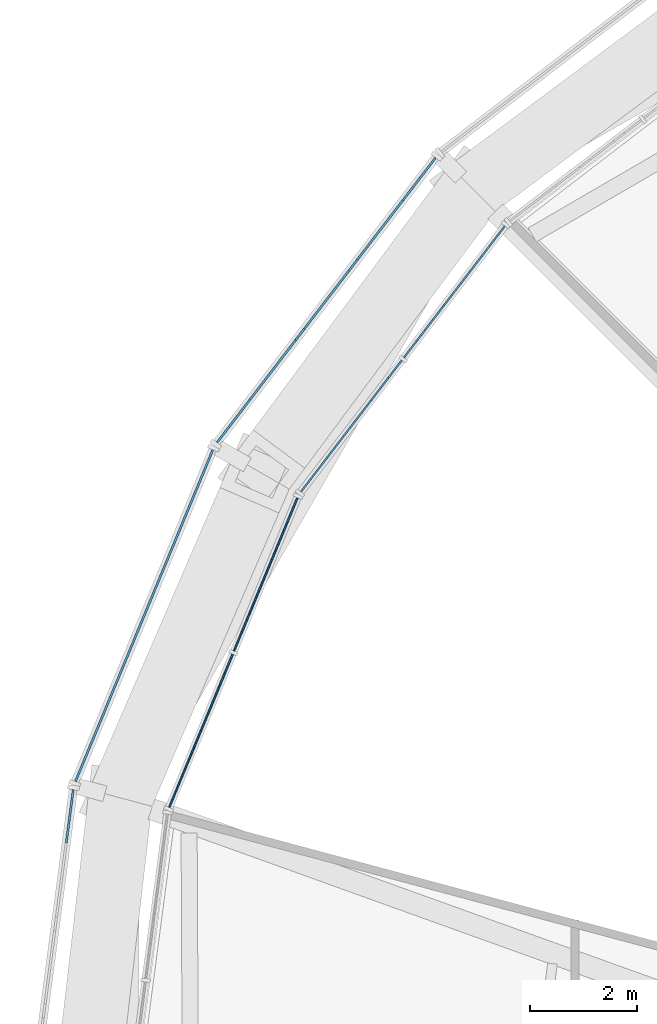
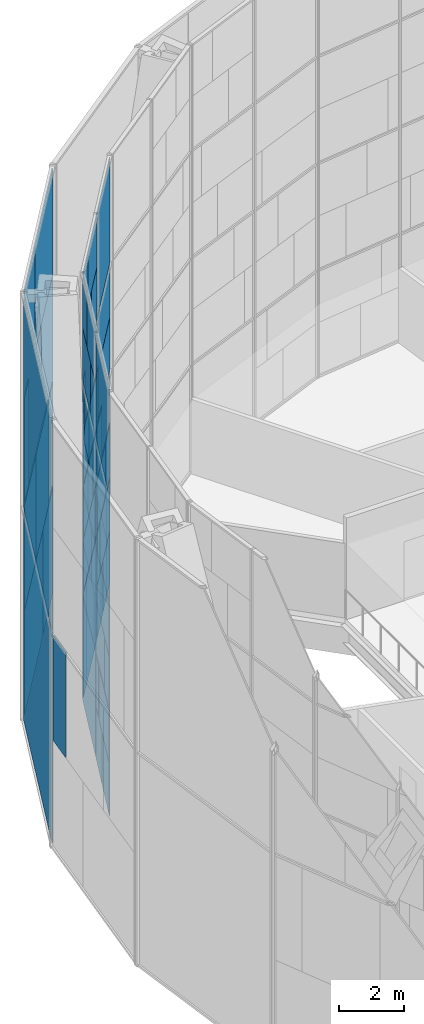
# One storey, part 20 of 28: 63 plates, 5 elements without a shape of their own.
"""IFC4 building model written with IfcOpenShell, lengths in metres."""

from ifc_helpers import new_model, si_unit, direction, frame, origin, origin_2d, place, context, subcontext, project, spatial, rectangle, extrude, material, layer, layer_set, type_object, element, aggregate, save


model = new_model("IFC4")

# Units and contexts
model_context = context("Model", 3, precision=1e-05, world=origin(), true_north=direction((0.0, 1.0)))
body_context = subcontext(model_context, "Body", "Model", "MODEL_VIEW")
ifc_project = project(units=[si_unit("LENGTHUNIT", "METRE"), si_unit("AREAUNIT", "SQUARE_METRE"), si_unit("VOLUMEUNIT", "CUBIC_METRE"), si_unit("PLANEANGLEUNIT", "RADIAN"), si_unit("MASSUNIT", "GRAM", prefix="KILO")], contexts=[model_context])

# Site, building, storey
site_placement = place(None, origin())
site = spatial("IfcSite", under=ifc_project, at=site_placement, CompositionType="ELEMENT")
building_placement = place(site_placement, origin())
building = spatial("IfcBuilding", under=site, at=building_placement, Name="Golbaran Civic Tower", CompositionType="ELEMENT")
storey_placement = place(building_placement, frame((0.0, 0.0, 134.0)))
storey = spatial("IfcBuildingStorey", under=building, at=storey_placement, Name="L32", CompositionType="ELEMENT", Elevation=134.0)

# Curtain wall, plates
ifc_material_1 = material(Name="Aluminium and glass", Category="aluminium")
curtain_wall_type_1 = type_object("IfcCurtainWallType", Name="INNER SKIN CURTAIN WALL", PredefinedType="NOTDEFINED", material=ifc_material_1)
curtain_wall_1_placement = place(storey_placement, origin())
curtain_wall_1 = element("IfcCurtainWall", 1, at=curtain_wall_1_placement, inside=storey, type_object=curtain_wall_type_1, Name="Inner skin L32 facet 10 CW1", ObjectType="INNER SKIN", PredefinedType="USERDEFINED")
ifc_material_2 = material(Name="Clear insulating glass", Category="glass")
ifc_layer_1 = layer(ifc_material_2, 0.031982421875, Name="Clear insulating glass")
ifc_layer_set_1 = layer_set([ifc_layer_1], Name="Clear insulating glass")
plate_type_1 = type_object("IfcPlateType", Name="INNER SKIN CURTAIN WALL GLAZED PANEL", PredefinedType="CURTAIN_PANEL", material=ifc_layer_set_1)
plate_1_placement = place(storey_placement, frame((-18.750244140625, 15.343505859375, 0.06494140625), z_axis=(0.0, 0.0, 1.0), x_axis=(-0.60876142905, -0.793353340259, 0.0)))
plate_1 = element("IfcPlate", 2, at=plate_1_placement, type_object=plate_type_1, Name="CW1 panel 1.1 part 2", PredefinedType="CURTAIN_PANEL", context=body_context, shape_type="SweptSolid", body=[
    extrude(rectangle(XDim=1.45166015625, YDim=0.031982421875, at=origin_2d()), origin(), (0.0, 0.0, 1.0), 1.951171875),
])
plate_2_placement = place(storey_placement, frame((-18.995361328125, 15.024169921875, 2.016357421875), z_axis=(0.0, 0.0, 1.0), x_axis=(-0.60876142905, -0.793353340259, 0.0)))
plate_2 = element("IfcPlate", 3, at=plate_2_placement, type_object=plate_type_1, Name="CW1 panel 1.1 part 4", PredefinedType="CURTAIN_PANEL", context=body_context, shape_type="SweptSolid", body=[
    extrude(rectangle(XDim=0.646484375, YDim=0.031982421875, at=origin_2d()), origin(), (0.0, 0.0, 1.0), 1.951171875),
])
plate_3_placement = place(storey_placement, frame((-17.63720703125, 16.7939453125, 4.03271484375), z_axis=(0.0, 0.0, 1.0), x_axis=(-0.60876142905, -0.793353340259, 0.0)))
plate_3 = element("IfcPlate", 4, at=plate_3_placement, type_object=plate_type_1, Name="CW1 panel 1.2 part 1", PredefinedType="CURTAIN_PANEL", context=body_context, shape_type="SweptSolid", body=[
    extrude(rectangle(XDim=1.072998046875, YDim=0.031982421875, at=origin_2d()), origin(), (0.0, 0.0, 1.0), 1.967529296875),
])
plate_4_placement = place(storey_placement, frame((-17.884521484375, 16.4716796875, 6.0), z_axis=(0.0, 0.0, 1.0), x_axis=(-0.60876142905, -0.793353340259, 0.0)))
plate_4 = element("IfcPlate", 5, at=plate_4_placement, type_object=plate_type_1, Name="CW1 panel 1.2 part 3", PredefinedType="CURTAIN_PANEL", context=body_context, shape_type="SweptSolid", body=[
    extrude(rectangle(XDim=1.885009765625, YDim=0.031982421875, at=origin_2d()), origin(), (0.0, 0.0, 1.0), 1.967529296875),
])
plate_5_placement = place(storey_placement, frame((-18.129150390625, 16.15283203125, 8.03271484375), z_axis=(0.0, 0.0, 1.0), x_axis=(-0.60876142905, -0.793353340259, 0.0)))
plate_5 = element("IfcPlate", 6, at=plate_5_placement, type_object=plate_type_1, Name="CW1 panel 1.3 part 1", PredefinedType="CURTAIN_PANEL", context=body_context, shape_type="SweptSolid", body=[
    extrude(rectangle(XDim=2.68896484375, YDim=0.031982421875, at=origin_2d()), origin(), (0.0, 0.0, 1.0), 1.967529296875),
])
plate_6_placement = place(storey_placement, frame((-18.25146484375, 15.99365234375, 10.0), z_axis=(0.0, 0.0, 1.0), x_axis=(-0.60876142905, -0.793353340259, 0.0)))
plate_6 = element("IfcPlate", 7, at=plate_6_placement, type_object=plate_type_1, Name="CW1 panel 1.3 part 3", PredefinedType="CURTAIN_PANEL", context=body_context, shape_type="SweptSolid", body=[
    extrude(rectangle(XDim=3.090576171875, YDim=0.031982421875, at=origin_2d()), origin(), (0.0, 0.0, 1.0), 1.967529296875),
])
plate_7_placement = place(storey_placement, frame((-18.25146484375, 15.99365234375, 12.0322265625), z_axis=(0.0, 0.0, 1.0), x_axis=(-0.60876142905, -0.793353340259, 0.0)))
plate_7 = element("IfcPlate", 8, at=plate_7_placement, type_object=plate_type_1, Name="CW1 panel 1.4", PredefinedType="CURTAIN_PANEL", context=body_context, shape_type="SweptSolid", body=[
    extrude(rectangle(XDim=3.090576171875, YDim=0.031982421875, at=origin_2d()), origin(), (0.0, 0.0, 1.0), 3.902587890625),
])
plate_8_placement = place(storey_placement, frame((-20.17236328125, 13.489990234375, 0.06494140625), z_axis=(0.0, 0.0, 1.0), x_axis=(-0.60876142905, -0.793353340259, 0.0)))
plate_8 = element("IfcPlate", 9, at=plate_8_placement, type_object=plate_type_1, Name="CW1 panel 2.1", PredefinedType="CURTAIN_PANEL", context=body_context, shape_type="SweptSolid", body=[
    extrude(rectangle(XDim=3.090576171875, YDim=0.031982421875, at=origin_2d()), origin(), (0.0, 0.0, 1.0), 3.902587890625),
])
plate_9_placement = place(storey_placement, frame((-20.29443359375, 13.3310546875, 4.03271484375), z_axis=(0.0, 0.0, 1.0), x_axis=(-0.60876142905, -0.793353340259, 0.0)))
plate_9 = element("IfcPlate", 10, at=plate_9_placement, type_object=plate_type_1, Name="CW1 panel 2.2 part 2", PredefinedType="CURTAIN_PANEL", context=body_context, shape_type="SweptSolid", body=[
    extrude(rectangle(XDim=2.689697265625, YDim=0.031982421875, at=origin_2d()), origin(), (0.0, 0.0, 1.0), 1.967529296875),
])
plate_10_placement = place(storey_placement, frame((-20.458251953125, 13.11767578125, 6.0), z_axis=(0.0, 0.0, 1.0), x_axis=(-0.60876142905, -0.793353340259, 0.0)))
plate_10 = element("IfcPlate", 11, at=plate_10_placement, type_object=plate_type_1, Name="CW1 panel 2.2 part 4", PredefinedType="CURTAIN_PANEL", context=body_context, shape_type="SweptSolid", body=[
    extrude(rectangle(XDim=2.151611328125, YDim=0.031982421875, at=origin_2d()), origin(), (0.0, 0.0, 1.0), 1.967529296875),
])
plate_11_placement = place(storey_placement, frame((-20.713623046875, 12.78466796875, 8.03271484375), z_axis=(0.0, 0.0, 1.0), x_axis=(-0.60876142905, -0.793353340259, 0.0)))
plate_11 = element("IfcPlate", 12, at=plate_11_placement, type_object=plate_type_1, Name="CW1 panel 2.3 part 2", PredefinedType="CURTAIN_PANEL", context=body_context, shape_type="SweptSolid", body=[
    extrude(rectangle(XDim=1.3125, YDim=0.031982421875, at=origin_2d()), origin(), (0.0, 0.0, 1.0), 1.967529296875),
])
plate_12_placement = place(storey_placement, frame((-20.96044921875, 12.463134765625, 10.0), z_axis=(0.0, 0.0, 1.0), x_axis=(-0.60876142905, -0.793353340259, 0.0)))
plate_12 = element("IfcPlate", 13, at=plate_12_placement, type_object=plate_type_1, Name="CW1 panel 2.3 part 4", PredefinedType="CURTAIN_PANEL", context=body_context, shape_type="SweptSolid", body=[
    extrude(rectangle(XDim=0.501708984375, YDim=0.031982421875, at=origin_2d()), origin(), (0.0, 0.0, 1.0), 1.967529296875),
])
plate_13_placement = place(storey_placement, frame((-19.602294921875, 14.23291015625, 12.032470703125), z_axis=(0.0, 0.0, 1.0), x_axis=(-0.60876142905, -0.793353340259, 0.0)))
plate_13 = element("IfcPlate", 14, at=plate_13_placement, type_object=plate_type_1, Name="CW1 panel 2.4 part 1", PredefinedType="CURTAIN_PANEL", context=body_context, shape_type="SweptSolid", body=[
    extrude(rectangle(XDim=1.218017578125, YDim=0.031982421875, at=origin_2d()), origin(), (0.0, 0.0, 1.0), 1.951171875),
])
plate_14_placement = place(storey_placement, frame((-19.847412109375, 13.91357421875, 13.98388671875), z_axis=(0.0, 0.0, 1.0), x_axis=(-0.60876142905, -0.793353340259, 0.0)))
plate_14 = element("IfcPlate", 15, at=plate_14_placement, type_object=plate_type_1, Name="CW1 panel 2.4 part 3", PredefinedType="CURTAIN_PANEL", context=body_context, shape_type="SweptSolid", body=[
    extrude(rectangle(XDim=2.02294921875, YDim=0.031982421875, at=origin_2d()), origin(), (0.0, 0.0, 1.0), 1.951171875),
])

curtain_wall_2_placement = place(storey_placement, origin())
curtain_wall_2 = element("IfcCurtainWall", 16, at=curtain_wall_2_placement, inside=storey, type_object=curtain_wall_type_1, Name="Inner skin L32 facet 11 CW1", ObjectType="INNER SKIN", PredefinedType="USERDEFINED")
plate_15_placement = place(storey_placement, frame((-21.768798828125, 10.724853515625, 0.06494140625), z_axis=(0.0, 0.0, 1.0), x_axis=(-0.38268343243, -0.923879532485, 0.0)))
plate_15 = element("IfcPlate", 17, at=plate_15_placement, type_object=plate_type_1, Name="CW1 panel 1.1", PredefinedType="CURTAIN_PANEL", context=body_context, shape_type="SweptSolid", body=[
    extrude(rectangle(XDim=3.090576171875, YDim=0.031982421875, at=origin_2d()), origin(), (0.0, 0.0, 1.0), 3.902587890625),
])
plate_16_placement = place(storey_placement, frame((-21.692138671875, 10.910400390625, 4.03271484375), z_axis=(0.0, 0.0, 1.0), x_axis=(-0.38268343243, -0.923879532485, 0.0)))
plate_16 = element("IfcPlate", 18, at=plate_16_placement, type_object=plate_type_1, Name="CW1 panel 1.2 part 1", PredefinedType="CURTAIN_PANEL", context=body_context, shape_type="SweptSolid", body=[
    extrude(rectangle(XDim=2.68896484375, YDim=0.031982421875, at=origin_2d()), origin(), (0.0, 0.0, 1.0), 1.967529296875),
])
plate_17_placement = place(storey_placement, frame((-21.589111328125, 11.158935546875, 6.0), z_axis=(0.0, 0.0, 1.0), x_axis=(-0.38268343243, -0.923879532485, 0.0)))
plate_17 = element("IfcPlate", 19, at=plate_17_placement, type_object=plate_type_1, Name="CW1 panel 1.2 part 3", PredefinedType="CURTAIN_PANEL", context=body_context, shape_type="SweptSolid", body=[
    extrude(rectangle(XDim=2.15087890625, YDim=0.031982421875, at=origin_2d()), origin(), (0.0, 0.0, 1.0), 1.967529296875),
])
plate_18_placement = place(storey_placement, frame((-21.4287109375, 11.5458984375, 8.03271484375), z_axis=(0.0, 0.0, 1.0), x_axis=(-0.38268343243, -0.923879532485, 0.0)))
plate_18 = element("IfcPlate", 20, at=plate_18_placement, type_object=plate_type_1, Name="CW1 panel 1.3 part 1", PredefinedType="CURTAIN_PANEL", context=body_context, shape_type="SweptSolid", body=[
    extrude(rectangle(XDim=1.31298828125, YDim=0.031982421875, at=origin_2d()), origin(), (0.0, 0.0, 1.0), 1.967529296875),
])
plate_19_placement = place(storey_placement, frame((-21.2734375, 11.9208984375, 10.0), z_axis=(0.0, 0.0, 1.0), x_axis=(-0.38268343243, -0.923879532485, 0.0)))
plate_19 = element("IfcPlate", 21, at=plate_19_placement, type_object=plate_type_1, Name="CW1 panel 1.3 part 3", PredefinedType="CURTAIN_PANEL", context=body_context, shape_type="SweptSolid", body=[
    extrude(rectangle(XDim=0.5009765625, YDim=0.031982421875, at=origin_2d()), origin(), (0.0, 0.0, 1.0), 1.967529296875),
])
plate_20_placement = place(storey_placement, frame((-22.127197265625, 9.860107421875, 12.032470703125), z_axis=(0.0, 0.0, 1.0), x_axis=(-0.38268343243, -0.923879532485, 0.0)))
plate_20 = element("IfcPlate", 22, at=plate_20_placement, type_object=plate_type_1, Name="CW1 panel 1.4 part 2", PredefinedType="CURTAIN_PANEL", context=body_context, shape_type="SweptSolid", body=[
    extrude(rectangle(XDim=1.218505859375, YDim=0.031982421875, at=origin_2d()), origin(), (0.0, 0.0, 1.0), 1.951171875),
])
plate_21_placement = place(storey_placement, frame((-21.97314453125, 10.23193359375, 13.98388671875), z_axis=(0.0, 0.0, 1.0), x_axis=(-0.38268343243, -0.923879532485, 0.0)))
plate_21 = element("IfcPlate", 23, at=plate_21_placement, type_object=plate_type_1, Name="CW1 panel 1.4 part 4", PredefinedType="CURTAIN_PANEL", context=body_context, shape_type="SweptSolid", body=[
    extrude(rectangle(XDim=2.023681640625, YDim=0.031982421875, at=origin_2d()), origin(), (0.0, 0.0, 1.0), 1.951171875),
])
plate_22_placement = place(storey_placement, frame((-22.662841796875, 8.56689453125, 0.06494140625), z_axis=(0.0, 0.0, 1.0), x_axis=(-0.38268343243, -0.923879532485, 0.0)))
plate_22 = element("IfcPlate", 24, at=plate_22_placement, type_object=plate_type_1, Name="CW1 panel 2.1 part 1", PredefinedType="CURTAIN_PANEL", context=body_context, shape_type="SweptSolid", body=[
    extrude(rectangle(XDim=1.450927734375, YDim=0.031982421875, at=origin_2d()), origin(), (0.0, 0.0, 1.0), 1.951171875),
])
plate_23_placement = place(storey_placement, frame((-22.5087890625, 8.938720703125, 2.016357421875), z_axis=(0.0, 0.0, 1.0), x_axis=(-0.38268343243, -0.923879532485, 0.0)))
plate_23 = element("IfcPlate", 25, at=plate_23_placement, type_object=plate_type_1, Name="CW1 panel 2.1 part 3", PredefinedType="CURTAIN_PANEL", context=body_context, shape_type="SweptSolid", body=[
    extrude(rectangle(XDim=0.64599609375, YDim=0.031982421875, at=origin_2d()), origin(), (0.0, 0.0, 1.0), 1.951171875),
])
plate_24_placement = place(storey_placement, frame((-23.362548828125, 6.877685546875, 4.03271484375), z_axis=(0.0, 0.0, 1.0), x_axis=(-0.38268343243, -0.923879532485, 0.0)))
plate_24 = element("IfcPlate", 26, at=plate_24_placement, type_object=plate_type_1, Name="CW1 panel 2.2 part 2", PredefinedType="CURTAIN_PANEL", context=body_context, shape_type="SweptSolid", body=[
    extrude(rectangle(XDim=1.073486328125, YDim=0.031982421875, at=origin_2d()), origin(), (0.0, 0.0, 1.0), 1.967529296875),
])
plate_25_placement = place(storey_placement, frame((-23.207275390625, 7.252197265625, 6.0), z_axis=(0.0, 0.0, 1.0), x_axis=(-0.38268343243, -0.923879532485, 0.0)))
plate_25 = element("IfcPlate", 27, at=plate_25_placement, type_object=plate_type_1, Name="CW1 panel 2.2 part 4", PredefinedType="CURTAIN_PANEL", context=body_context, shape_type="SweptSolid", body=[
    extrude(rectangle(XDim=1.884521484375, YDim=0.031982421875, at=origin_2d()), origin(), (0.0, 0.0, 1.0), 1.967529296875),
])
plate_26_placement = place(storey_placement, frame((-23.05322265625, 7.6240234375, 8.03271484375), z_axis=(0.0, 0.0, 1.0), x_axis=(-0.38268343243, -0.923879532485, 0.0)))
plate_26 = element("IfcPlate", 28, at=plate_26_placement, type_object=plate_type_1, Name="CW1 panel 2.3 part 2", PredefinedType="CURTAIN_PANEL", context=body_context, shape_type="SweptSolid", body=[
    extrude(rectangle(XDim=2.689697265625, YDim=0.031982421875, at=origin_2d()), origin(), (0.0, 0.0, 1.0), 1.967529296875),
])
plate_27_placement = place(storey_placement, frame((-22.9765625, 7.809326171875, 10.0), z_axis=(0.0, 0.0, 1.0), x_axis=(-0.38268343243, -0.923879532485, 0.0)))
plate_27 = element("IfcPlate", 29, at=plate_27_placement, type_object=plate_type_1, Name="CW1 panel 2.3 part 3", PredefinedType="CURTAIN_PANEL", context=body_context, shape_type="SweptSolid", body=[
    extrude(rectangle(XDim=3.090576171875, YDim=0.031982421875, at=origin_2d()), origin(), (0.0, 0.0, 1.0), 1.967529296875),
])
plate_28_placement = place(storey_placement, frame((-22.9765625, 7.809326171875, 12.0322265625), z_axis=(0.0, 0.0, 1.0), x_axis=(-0.38268343243, -0.923879532485, 0.0)))
plate_28 = element("IfcPlate", 30, at=plate_28_placement, type_object=plate_type_1, Name="CW1 panel 2.4", PredefinedType="CURTAIN_PANEL", context=body_context, shape_type="SweptSolid", body=[
    extrude(rectangle(XDim=3.090576171875, YDim=0.031982421875, at=origin_2d()), origin(), (0.0, 0.0, 1.0), 3.902587890625),
])

# Plate
ifc_material_3 = material(Name="Aluminium faced opaque infill panel", Category="aluminium")
ifc_layer_2 = layer(ifc_material_3, 0.031982421875, Name="Aluminium faced opaque infill panel")
ifc_layer_set_2 = layer_set([ifc_layer_2], Name="Aluminium faced opaque infill panel")
plate_type_2 = type_object("IfcPlateType", Name="INNER SKIN CURTAIN WALL OPAQUE INFILL PANEL", PredefinedType="CURTAIN_PANEL", material=ifc_layer_set_2)
plate_29_placement = place(storey_placement, frame((-17.8095703125, 16.5693359375, 0.06494140625), z_axis=(0.0, 0.0, 1.0), x_axis=(-0.60876142905, -0.793353340259, 0.0)))
plate_29 = element("IfcPlate", 31, at=plate_29_placement, type_object=plate_type_2, Name="CW1 infill panel 1.1 part 1", PredefinedType="CURTAIN_PANEL", context=body_context, shape_type="SweptSolid", body=[
    extrude(rectangle(XDim=1.638916015625, YDim=0.031982421875, at=origin_2d()), origin(), (0.0, 0.0, 1.0), 1.951171875),
])

plate_30_placement = place(storey_placement, frame((-18.054443359375, 16.25, 2.016357421875), z_axis=(0.0, 0.0, 1.0), x_axis=(-0.60876142905, -0.793353340259, 0.0)))
plate_30 = element("IfcPlate", 32, at=plate_30_placement, type_object=plate_type_2, Name="CW1 infill panel 1.1 part 3", PredefinedType="CURTAIN_PANEL", context=body_context, shape_type="SweptSolid", body=[
    extrude(rectangle(XDim=2.444091796875, YDim=0.031982421875, at=origin_2d()), origin(), (0.0, 0.0, 1.0), 1.951171875),
])

plate_31_placement = place(storey_placement, frame((-18.577880859375, 15.56787109375, 4.03271484375), z_axis=(0.0, 0.0, 1.0), x_axis=(-0.60876142905, -0.793353340259, 0.0)))
plate_31 = element("IfcPlate", 33, at=plate_31_placement, type_object=plate_type_2, Name="CW1 infill panel 1.2 part 2", PredefinedType="CURTAIN_PANEL", context=body_context, shape_type="SweptSolid", body=[
    extrude(rectangle(XDim=2.017578125, YDim=0.031982421875, at=origin_2d()), origin(), (0.0, 0.0, 1.0), 1.967529296875),
])

plate_32_placement = place(storey_placement, frame((-18.8251953125, 15.245849609375, 6.0), z_axis=(0.0, 0.0, 1.0), x_axis=(-0.60876142905, -0.793353340259, 0.0)))
plate_32 = element("IfcPlate", 34, at=plate_32_placement, type_object=plate_type_2, Name="CW1 infill panel 1.2 part 4", PredefinedType="CURTAIN_PANEL", context=body_context, shape_type="SweptSolid", body=[
    extrude(rectangle(XDim=1.20556640625, YDim=0.031982421875, at=origin_2d()), origin(), (0.0, 0.0, 1.0), 1.967529296875),
])

plate_33_placement = place(storey_placement, frame((-19.06982421875, 14.927001953125, 8.03271484375), z_axis=(0.0, 0.0, 1.0), x_axis=(-0.60876142905, -0.793353340259, 0.0)))
plate_33 = element("IfcPlate", 35, at=plate_33_placement, type_object=plate_type_2, Name="CW1 infill panel 1.3 part 2", PredefinedType="CURTAIN_PANEL", context=body_context, shape_type="SweptSolid", body=[
    extrude(rectangle(XDim=0.401611328125, YDim=0.031982421875, at=origin_2d()), origin(), (0.0, 0.0, 1.0), 1.967529296875),
])

plate_34_placement = place(storey_placement, frame((-19.353759765625, 14.556884765625, 4.03271484375), z_axis=(0.0, 0.0, 1.0), x_axis=(-0.60876142905, -0.793353340259, 0.0)))
plate_34 = element("IfcPlate", 36, at=plate_34_placement, type_object=plate_type_2, Name="CW1 infill panel 2.2 part 1", PredefinedType="CURTAIN_PANEL", context=body_context, shape_type="SweptSolid", body=[
    extrude(rectangle(XDim=0.40087890625, YDim=0.031982421875, at=origin_2d()), origin(), (0.0, 0.0, 1.0), 1.967529296875),
])

plate_35_placement = place(storey_placement, frame((-19.517578125, 14.343505859375, 6.0), z_axis=(0.0, 0.0, 1.0), x_axis=(-0.60876142905, -0.793353340259, 0.0)))
plate_35 = element("IfcPlate", 37, at=plate_35_placement, type_object=plate_type_2, Name="CW1 infill panel 2.2 part 3", PredefinedType="CURTAIN_PANEL", context=body_context, shape_type="SweptSolid", body=[
    extrude(rectangle(XDim=0.93896484375, YDim=0.031982421875, at=origin_2d()), origin(), (0.0, 0.0, 1.0), 1.967529296875),
])

plate_36_placement = place(storey_placement, frame((-19.77294921875, 14.0107421875, 8.03271484375), z_axis=(0.0, 0.0, 1.0), x_axis=(-0.60876142905, -0.793353340259, 0.0)))
plate_36 = element("IfcPlate", 38, at=plate_36_placement, type_object=plate_type_2, Name="CW1 infill panel 2.3 part 1", PredefinedType="CURTAIN_PANEL", context=body_context, shape_type="SweptSolid", body=[
    extrude(rectangle(XDim=1.778076171875, YDim=0.031982421875, at=origin_2d()), origin(), (0.0, 0.0, 1.0), 1.967529296875),
])

plate_37_placement = place(storey_placement, frame((-20.019775390625, 13.68896484375, 10.0), z_axis=(0.0, 0.0, 1.0), x_axis=(-0.60876142905, -0.793353340259, 0.0)))
plate_37 = element("IfcPlate", 39, at=plate_37_placement, type_object=plate_type_2, Name="CW1 infill panel 2.3 part 3", PredefinedType="CURTAIN_PANEL", context=body_context, shape_type="SweptSolid", body=[
    extrude(rectangle(XDim=2.589111328125, YDim=0.031982421875, at=origin_2d()), origin(), (0.0, 0.0, 1.0), 1.967529296875),
])

plate_38_placement = place(storey_placement, frame((-20.543212890625, 13.0068359375, 12.032470703125), z_axis=(0.0, 0.0, 1.0), x_axis=(-0.60876142905, -0.793353340259, 0.0)))
plate_38 = element("IfcPlate", 40, at=plate_38_placement, type_object=plate_type_2, Name="CW1 infill panel 2.4 part 2", PredefinedType="CURTAIN_PANEL", context=body_context, shape_type="SweptSolid", body=[
    extrude(rectangle(XDim=1.87255859375, YDim=0.031982421875, at=origin_2d()), origin(), (0.0, 0.0, 1.0), 1.951171875),
])

plate_39_placement = place(storey_placement, frame((-20.7880859375, 12.6875, 13.98388671875), z_axis=(0.0, 0.0, 1.0), x_axis=(-0.60876142905, -0.793353340259, 0.0)))
plate_39 = element("IfcPlate", 41, at=plate_39_placement, type_object=plate_type_2, Name="CW1 infill panel 2.4 part 4", PredefinedType="CURTAIN_PANEL", context=body_context, shape_type="SweptSolid", body=[
    extrude(rectangle(XDim=1.067626953125, YDim=0.031982421875, at=origin_2d()), origin(), (0.0, 0.0, 1.0), 1.951171875),
])

aggregate(curtain_wall_1, [plate_29, plate_1, plate_30, plate_2, plate_3, plate_31, plate_4, plate_32, plate_5, plate_33, plate_6, plate_7, plate_8, plate_34, plate_9, plate_35, plate_10, plate_36, plate_11, plate_37, plate_12, plate_13, plate_38, plate_14, plate_39])

plate_40_placement = place(storey_placement, frame((-22.283447265625, 9.482666015625, 4.03271484375), z_axis=(0.0, 0.0, 1.0), x_axis=(-0.38268343243, -0.923879532485, 0.0)))
plate_40 = element("IfcPlate", 42, at=plate_40_placement, type_object=plate_type_2, Name="CW1 infill panel 1.2 part 2", PredefinedType="CURTAIN_PANEL", context=body_context, shape_type="SweptSolid", body=[
    extrude(rectangle(XDim=0.401611328125, YDim=0.031982421875, at=origin_2d()), origin(), (0.0, 0.0, 1.0), 1.967529296875),
])

plate_41_placement = place(storey_placement, frame((-22.180419921875, 9.731201171875, 6.0), z_axis=(0.0, 0.0, 1.0), x_axis=(-0.38268343243, -0.923879532485, 0.0)))
plate_41 = element("IfcPlate", 43, at=plate_41_placement, type_object=plate_type_2, Name="CW1 infill panel 1.2 part 4", PredefinedType="CURTAIN_PANEL", context=body_context, shape_type="SweptSolid", body=[
    extrude(rectangle(XDim=0.939697265625, YDim=0.031982421875, at=origin_2d()), origin(), (0.0, 0.0, 1.0), 1.967529296875),
])

plate_42_placement = place(storey_placement, frame((-22.02001953125, 10.1181640625, 8.03271484375), z_axis=(0.0, 0.0, 1.0), x_axis=(-0.38268343243, -0.923879532485, 0.0)))
plate_42 = element("IfcPlate", 44, at=plate_42_placement, type_object=plate_type_2, Name="CW1 infill panel 1.3 part 2", PredefinedType="CURTAIN_PANEL", context=body_context, shape_type="SweptSolid", body=[
    extrude(rectangle(XDim=1.777587890625, YDim=0.031982421875, at=origin_2d()), origin(), (0.0, 0.0, 1.0), 1.967529296875),
])

plate_43_placement = place(storey_placement, frame((-21.86474609375, 10.493408203125, 10.0), z_axis=(0.0, 0.0, 1.0), x_axis=(-0.38268343243, -0.923879532485, 0.0)))
plate_43 = element("IfcPlate", 45, at=plate_43_placement, type_object=plate_type_2, Name="CW1 infill panel 1.3 part 4", PredefinedType="CURTAIN_PANEL", context=body_context, shape_type="SweptSolid", body=[
    extrude(rectangle(XDim=2.589599609375, YDim=0.031982421875, at=origin_2d()), origin(), (0.0, 0.0, 1.0), 1.967529296875),
])

plate_44_placement = place(storey_placement, frame((-21.53564453125, 11.28759765625, 12.032470703125), z_axis=(0.0, 0.0, 1.0), x_axis=(-0.38268343243, -0.923879532485, 0.0)))
plate_44 = element("IfcPlate", 46, at=plate_44_placement, type_object=plate_type_2, Name="CW1 infill panel 1.4 part 1", PredefinedType="CURTAIN_PANEL", context=body_context, shape_type="SweptSolid", body=[
    extrude(rectangle(XDim=1.8720703125, YDim=0.031982421875, at=origin_2d()), origin(), (0.0, 0.0, 1.0), 1.951171875),
])

plate_45_placement = place(storey_placement, frame((-21.381591796875, 11.65966796875, 13.98388671875), z_axis=(0.0, 0.0, 1.0), x_axis=(-0.38268343243, -0.923879532485, 0.0)))
plate_45 = element("IfcPlate", 47, at=plate_45_placement, type_object=plate_type_2, Name="CW1 infill panel 1.4 part 3", PredefinedType="CURTAIN_PANEL", context=body_context, shape_type="SweptSolid", body=[
    extrude(rectangle(XDim=1.06689453125, YDim=0.031982421875, at=origin_2d()), origin(), (0.0, 0.0, 1.0), 1.951171875),
])

plate_46_placement = place(storey_placement, frame((-23.254150390625, 7.13916015625, 0.06494140625), z_axis=(0.0, 0.0, 1.0), x_axis=(-0.38268343243, -0.923879532485, 0.0)))
plate_46 = element("IfcPlate", 48, at=plate_46_placement, type_object=plate_type_2, Name="CW1 infill panel 2.1 part 2", PredefinedType="CURTAIN_PANEL", context=body_context, shape_type="SweptSolid", body=[
    extrude(rectangle(XDim=1.6396484375, YDim=0.031982421875, at=origin_2d()), origin(), (0.0, 0.0, 1.0), 1.951171875),
])

plate_47_placement = place(storey_placement, frame((-23.10009765625, 7.510986328125, 2.016357421875), z_axis=(0.0, 0.0, 1.0), x_axis=(-0.38268343243, -0.923879532485, 0.0)))
plate_47 = element("IfcPlate", 49, at=plate_47_placement, type_object=plate_type_2, Name="CW1 infill panel 2.1 part 4", PredefinedType="CURTAIN_PANEL", context=body_context, shape_type="SweptSolid", body=[
    extrude(rectangle(XDim=2.444580078125, YDim=0.031982421875, at=origin_2d()), origin(), (0.0, 0.0, 1.0), 1.951171875),
])

plate_48_placement = place(storey_placement, frame((-22.77099609375, 8.305419921875, 4.03271484375), z_axis=(0.0, 0.0, 1.0), x_axis=(-0.38268343243, -0.923879532485, 0.0)))
plate_48 = element("IfcPlate", 50, at=plate_48_placement, type_object=plate_type_2, Name="CW1 infill panel 2.2 part 1", PredefinedType="CURTAIN_PANEL", context=body_context, shape_type="SweptSolid", body=[
    extrude(rectangle(XDim=2.01708984375, YDim=0.031982421875, at=origin_2d()), origin(), (0.0, 0.0, 1.0), 1.967529296875),
])

plate_49_placement = place(storey_placement, frame((-22.615966796875, 8.679931640625, 6.0), z_axis=(0.0, 0.0, 1.0), x_axis=(-0.38268343243, -0.923879532485, 0.0)))
plate_49 = element("IfcPlate", 51, at=plate_49_placement, type_object=plate_type_2, Name="CW1 infill panel 2.2 part 3", PredefinedType="CURTAIN_PANEL", context=body_context, shape_type="SweptSolid", body=[
    extrude(rectangle(XDim=1.2060546875, YDim=0.031982421875, at=origin_2d()), origin(), (0.0, 0.0, 1.0), 1.967529296875),
])

plate_50_placement = place(storey_placement, frame((-22.4619140625, 9.0517578125, 8.03271484375), z_axis=(0.0, 0.0, 1.0), x_axis=(-0.38268343243, -0.923879532485, 0.0)))
plate_50 = element("IfcPlate", 52, at=plate_50_placement, type_object=plate_type_2, Name="CW1 infill panel 2.3 part 1", PredefinedType="CURTAIN_PANEL", context=body_context, shape_type="SweptSolid", body=[
    extrude(rectangle(XDim=0.40087890625, YDim=0.031982421875, at=origin_2d()), origin(), (0.0, 0.0, 1.0), 1.967529296875),
])

aggregate(curtain_wall_2, [plate_15, plate_16, plate_40, plate_17, plate_41, plate_18, plate_42, plate_19, plate_43, plate_44, plate_20, plate_45, plate_21, plate_22, plate_46, plate_23, plate_47, plate_48, plate_24, plate_49, plate_25, plate_50, plate_26, plate_27, plate_28])

# Curtain wall, plates
curtain_wall_type_2 = type_object("IfcCurtainWallType", Name="OUTER SKIN TERRACOTTA SCREEN", PredefinedType="NOTDEFINED", material=ifc_material_1)
curtain_wall_3_placement = place(storey_placement, origin())
curtain_wall_3 = element("IfcCurtainWall", 53, at=curtain_wall_3_placement, inside=storey, type_object=curtain_wall_type_2, Name="Outer skin L32 facet 10 CW3", ObjectType="OUTER SKIN", PredefinedType="USERDEFINED")
ifc_material_4 = material(Name="Clear laminated glass", Category="glass")
ifc_layer_3 = layer(ifc_material_4, 0.0400390625, Name="Clear laminated glass")
ifc_layer_set_3 = layer_set([ifc_layer_3], Name="Clear laminated glass")
plate_type_3 = type_object("IfcPlateType", Name="OUTER SKIN CLEAR GLASS PANEL", PredefinedType="CURTAIN_PANEL", material=ifc_layer_set_3)
plate_51_placement = place(storey_placement, frame((-21.368408203125, 14.88720703125, -0.6298828125), z_axis=(0.0, 0.0, 1.0), x_axis=(-0.608761429036, -0.79335334027, 0.0)))
plate_51 = element("IfcPlate", 54, at=plate_51_placement, type_object=plate_type_3, Name="CW3 panel 1.1 part 2", PredefinedType="CURTAIN_PANEL", context=body_context, shape_type="SweptSolid", body=[
    extrude(rectangle(XDim=4.294921875, YDim=0.0400390625, at=origin_2d()), origin(), (0.0, 0.0, 1.0), 3.93994140625),
])
plate_52_placement = place(storey_placement, frame((-18.90673828125, 18.095458984375, 3.31005859375), z_axis=(0.0, 0.0, 1.0), x_axis=(-0.608761429036, -0.79335334027, 0.0)))
plate_52 = element("IfcPlate", 55, at=plate_52_placement, type_object=plate_type_3, Name="CW3 panel 1.1 part 3", PredefinedType="CURTAIN_PANEL", context=body_context, shape_type="SweptSolid", body=[
    extrude(rectangle(XDim=0.9970703125, YDim=0.0400390625, at=origin_2d()), origin(), (0.0, 0.0, 1.0), 3.93994140625),
])
plate_53_placement = place(storey_placement, frame((-21.863525390625, 14.2421875, 3.31005859375), z_axis=(0.0, 0.0, 1.0), x_axis=(-0.608761429036, -0.79335334027, 0.0)))
plate_53 = element("IfcPlate", 56, at=plate_53_placement, type_object=plate_type_3, Name="CW3 panel 1.1 part 5", PredefinedType="CURTAIN_PANEL", context=body_context, shape_type="SweptSolid", body=[
    extrude(rectangle(XDim=2.6689453125, YDim=0.0400390625, at=origin_2d()), origin(), (0.0, 0.0, 1.0), 3.93994140625),
])
plate_54_placement = place(storey_placement, frame((-19.41162109375, 17.4375, 7.330078125), z_axis=(0.0, 0.0, 1.0), x_axis=(-0.608761429036, -0.79335334027, 0.0)))
plate_54 = element("IfcPlate", 57, at=plate_54_placement, type_object=plate_type_3, Name="CW3 panel 1.2 part 1", PredefinedType="CURTAIN_PANEL", context=body_context, shape_type="SweptSolid", body=[
    extrude(rectangle(XDim=2.656005859375, YDim=0.0400390625, at=origin_2d()), origin(), (0.0, 0.0, 1.0), 3.93994140625),
])
plate_55_placement = place(storey_placement, frame((-22.3681640625, 13.58447265625, 7.330078125), z_axis=(0.0, 0.0, 1.0), x_axis=(-0.608761429036, -0.79335334027, 0.0)))
plate_55 = element("IfcPlate", 58, at=plate_55_placement, type_object=plate_type_3, Name="CW3 panel 1.2 part 3", PredefinedType="CURTAIN_PANEL", context=body_context, shape_type="SweptSolid", body=[
    extrude(rectangle(XDim=1.010986328125, YDim=0.0400390625, at=origin_2d()), origin(), (0.0, 0.0, 1.0), 3.93994140625),
])
plate_56_placement = place(storey_placement, frame((-19.906494140625, 16.79248046875, 11.27001953125), z_axis=(0.0, 0.0, 1.0), x_axis=(-0.608761429036, -0.79335334027, 0.0)))
plate_56 = element("IfcPlate", 59, at=plate_56_placement, type_object=plate_type_3, Name="CW3 panel 1.2 part 4", PredefinedType="CURTAIN_PANEL", context=body_context, shape_type="SweptSolid", body=[
    extrude(rectangle(XDim=4.281982421875, YDim=0.0400390625, at=origin_2d()), origin(), (0.0, 0.0, 1.0), 3.93994140625),
])

# Curtain wall, plate
curtain_wall_4_placement = place(storey_placement, origin())
curtain_wall_4 = element("IfcCurtainWall", 60, at=curtain_wall_4_placement, inside=storey, type_object=curtain_wall_type_2, Name="Outer skin L32 facet 12 CW3", ObjectType="OUTER SKIN", PredefinedType="USERDEFINED")
plate_57_placement = place(storey_placement, frame((-25.42138671875, 6.2177734375, 3.31005859375), z_axis=(0.0, 0.0, 1.0), x_axis=(-0.130526192203, -0.991444861376, 0.0)))
plate_57 = element("IfcPlate", 61, at=plate_57_placement, type_object=plate_type_3, Name="CW3 panel 1.1 part 3", PredefinedType="CURTAIN_PANEL", context=body_context, shape_type="SweptSolid", body=[
    extrude(rectangle(XDim=0.9970703125, YDim=0.0400390625, at=origin_2d()), origin(), (0.0, 0.0, 1.0), 3.93994140625),
])
aggregate(curtain_wall_4, [plate_57])

# Plate
ifc_material_5 = material(Name="Terracotta baguette screen", Category="masonry")
ifc_layer_4 = layer(ifc_material_5, 0.0400390625, Name="Terracotta baguette screen")
ifc_layer_set_4 = layer_set([ifc_layer_4], Name="Terracotta baguette screen")
plate_type_4 = type_object("IfcPlateType", Name="OUTER SKIN TERRACOTTA INFILL PANEL", PredefinedType="CURTAIN_PANEL", material=ifc_layer_set_4)
plate_58_placement = place(storey_placement, frame((-19.332275390625, 17.541015625, -0.6298828125), z_axis=(0.0, 0.0, 1.0), x_axis=(-0.608761429036, -0.79335334027, 0.0)))
plate_58 = element("IfcPlate", 62, at=plate_58_placement, type_object=plate_type_4, Name="CW3 infill panel 1.1 part 1", PredefinedType="CURTAIN_PANEL", context=body_context, shape_type="SweptSolid", body=[
    extrude(rectangle(XDim=2.39501953125, YDim=0.0400390625, at=origin_2d()), origin(), (0.0, 0.0, 1.0), 3.93994140625),
])

plate_59_placement = place(storey_placement, frame((-20.130615234375, 16.50048828125, 3.31005859375), z_axis=(0.0, 0.0, 1.0), x_axis=(-0.608761429036, -0.79335334027, 0.0)))
plate_59 = element("IfcPlate", 63, at=plate_59_placement, type_object=plate_type_4, Name="CW3 infill panel 1.1 part 4", PredefinedType="CURTAIN_PANEL", context=body_context, shape_type="SweptSolid", body=[
    extrude(rectangle(XDim=3.02392578125, YDim=0.0400390625, at=origin_2d()), origin(), (0.0, 0.0, 1.0), 3.93994140625),
])

plate_60_placement = place(storey_placement, frame((-21.14013671875, 15.184814453125, 7.330078125), z_axis=(0.0, 0.0, 1.0), x_axis=(-0.608761429036, -0.79335334027, 0.0)))
plate_60 = element("IfcPlate", 64, at=plate_60_placement, type_object=plate_type_4, Name="CW3 infill panel 1.2 part 2", PredefinedType="CURTAIN_PANEL", context=body_context, shape_type="SweptSolid", body=[
    extrude(rectangle(XDim=3.02294921875, YDim=0.0400390625, at=origin_2d()), origin(), (0.0, 0.0, 1.0), 3.93994140625),
])

plate_61_placement = place(storey_placement, frame((-21.94287109375, 14.138671875, 11.27001953125), z_axis=(0.0, 0.0, 1.0), x_axis=(-0.608761429036, -0.79335334027, 0.0)))
plate_61 = element("IfcPlate", 65, at=plate_61_placement, type_object=plate_type_4, Name="CW3 infill panel 1.2 part 5", PredefinedType="CURTAIN_PANEL", context=body_context, shape_type="SweptSolid", body=[
    extrude(rectangle(XDim=2.407958984375, YDim=0.0400390625, at=origin_2d()), origin(), (0.0, 0.0, 1.0), 3.93994140625),
])

aggregate(curtain_wall_3, [plate_58, plate_51, plate_52, plate_59, plate_53, plate_54, plate_60, plate_55, plate_56, plate_61])

# Curtain wall, plates
curtain_wall_5_placement = place(storey_placement, origin())
curtain_wall_5 = element("IfcCurtainWall", 66, at=curtain_wall_5_placement, inside=storey, type_object=curtain_wall_type_2, Name="Outer skin L32 facet 11 CW3", ObjectType="OUTER SKIN", PredefinedType="USERDEFINED")
ifc_layer_5 = layer(ifc_material_5, 0.0400390625, Name="Terracotta baguette screen")
ifc_layer_set_5 = layer_set([ifc_layer_5], Name="Terracotta baguette screen")
plate_type_5 = type_object("IfcPlateType", Name="OUTER SKIN TERRACOTTA SCREEN PANEL", PredefinedType="CURTAIN_PANEL", material=ifc_layer_set_5)
plate_62_placement = place(storey_placement, frame((-24.03515625, 9.955810546875, -0.6298828125), z_axis=(0.0, 0.0, 1.0), x_axis=(-0.382683432397, -0.923879532498, 0.0)))
plate_62 = element("IfcPlate", 67, at=plate_62_placement, type_object=plate_type_5, Name="CW3 terracotta screen panel 1.1", PredefinedType="CURTAIN_PANEL", context=body_context, shape_type="SweptSolid", body=[
    extrude(rectangle(XDim=6.68994140625, YDim=0.0400390625, at=origin_2d()), origin(), (0.0, 0.0, 1.0), 7.8798828125),
])
plate_63_placement = place(storey_placement, frame((-24.03515625, 9.955810546875, 7.330078125), z_axis=(0.0, 0.0, 1.0), x_axis=(-0.382683432397, -0.923879532498, 0.0)))
plate_63 = element("IfcPlate", 68, at=plate_63_placement, type_object=plate_type_5, Name="CW3 terracotta screen panel 1.2", PredefinedType="CURTAIN_PANEL", context=body_context, shape_type="SweptSolid", body=[
    extrude(rectangle(XDim=6.68994140625, YDim=0.0400390625, at=origin_2d()), origin(), (0.0, 0.0, 1.0), 7.8798828125),
])
aggregate(curtain_wall_5, [plate_62, plate_63])

save(model, "model.ifc")
